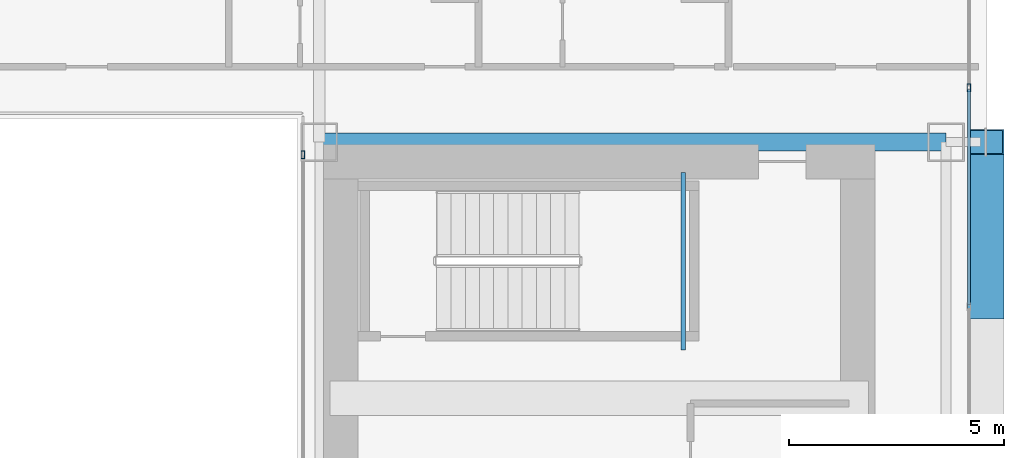
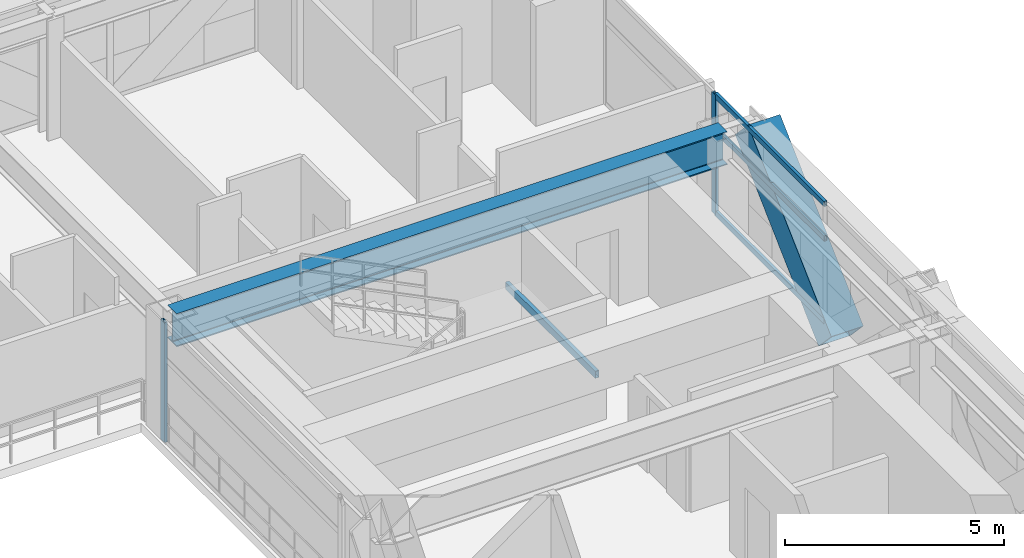
# One storey, part 23 of 41: 6 members, 2 beams, 2 elements without a shape of their own.
"""IFC4 building model written with IfcOpenShell, lengths in metres."""

from ifc_helpers import new_model, si_unit, direction, frame, origin, origin_2d, place, context, subcontext, project, spatial, hollow_rectangle, i_section, extrude, source, transform, mapped, material, layer, layer_set, material_profile, profile_set, type_object, element, aggregate, save


model = new_model("IFC4")

# Units and contexts
model_context = context("Model", 3, precision=1e-05, world=origin(), true_north=direction((0.0, 1.0)))
body_context = subcontext(model_context, "Body", "Model", "MODEL_VIEW")
ifc_project = project(units=[si_unit("LENGTHUNIT", "METRE"), si_unit("AREAUNIT", "SQUARE_METRE"), si_unit("VOLUMEUNIT", "CUBIC_METRE"), si_unit("PLANEANGLEUNIT", "RADIAN"), si_unit("MASSUNIT", "GRAM", prefix="KILO")], contexts=[model_context])

# Site, building, storey
site_placement = place(None, origin())
site = spatial("IfcSite", under=ifc_project, at=site_placement, CompositionType="ELEMENT")
building_placement = place(site_placement, origin())
building = spatial("IfcBuilding", under=site, at=building_placement, Name="Ocotamira Hotel", CompositionType="ELEMENT")
storey_placement = place(building_placement, frame((0.0, 0.0, 52.800048828125)))
storey = spatial("IfcBuildingStorey", under=building, at=storey_placement, Name="L12", CompositionType="ELEMENT", Elevation=52.800048828125)

# Beams
ifc_material_1 = material(Name="Steel ASTM A500 Grade C", Category="steel")
ifc_material_profile_1 = material_profile(ifc_material_1, hollow_rectangle(XDim=0.10009765625, YDim=0.199951171875, WallThickness=0.008056640625, at=origin_2d()), Name="HSS200X100X8")
ifc_profile_set_1 = profile_set([ifc_material_profile_1], Name="Steel ASTM A500 Grade C")
beam_type_1 = type_object("IfcBeamType", Name="BM-STLDG-HSS200", PredefinedType="BEAM", material=ifc_profile_set_1)
shared_shape_1 = source(origin(), body_context, "Body", "SweptSolid", [
    extrude(hollow_rectangle(XDim=0.10009765625, YDim=0.199951171875, WallThickness=0.008056640625, at=origin_2d()), origin(), (0.0, 0.0, 1.0), 4.1201171875),
])
beam_1_placement = place(storey_placement, frame((48.949951171875, 32.6298828125, 1.5), z_axis=(0.0, 1.0, 0.0), x_axis=(-1.0, 0.0, 0.0)))
element("IfcBeam", 1, at=beam_1_placement, inside=storey, type_object=beam_type_1, Name="L12 Stair ST-4 Landing Bearer 1", PredefinedType="BEAM", context=body_context, shape_type="MappedRepresentation", body=[
    mapped(shared_shape_1, transform((0.0, 0.0, 0.0), scale=1.0)),
])
ifc_material_2 = material(Name="Steel ASTM A992 Grade 50", Category="steel")
ifc_material_profile_2 = material_profile(ifc_material_2, i_section(OverallWidth=0.41796875, OverallDepth=0.927001953125, WebThickness=0.019287109375, FlangeThickness=0.031982421875, FilletRadius=0.02392578125, at=origin_2d()), Name="W36X231")
ifc_profile_set_2 = profile_set([ifc_material_profile_2], Name="Steel ASTM A992 Grade 50")
beam_type_2 = type_object("IfcBeamType", Name="BM-GIRD-W36X231", PredefinedType="BEAM", material=ifc_profile_set_2)
shared_shape_2 = source(origin(), body_context, "Body", "SweptSolid", [
    extrude(i_section(OverallWidth=0.41796875, OverallDepth=0.927001953125, WebThickness=0.019287109375, FlangeThickness=0.031982421875, FilletRadius=0.02392578125, at=origin_2d()), origin(), (0.0, 0.0, 1.0), 14.550048828125),
])
beam_2_placement = place(storey_placement, frame((40.5, 37.449951171875, 2.886474609375), z_axis=(1.0, 0.0, 0.0), x_axis=(0.0, 1.0, 0.0)))
element("IfcBeam", 2, at=beam_2_placement, inside=storey, type_object=beam_type_2, Name="L12 Girder Y37.45 X40.5-55.05", PredefinedType="BEAM", context=body_context, shape_type="MappedRepresentation", body=[
    mapped(shared_shape_2, transform((0.0, 0.0, 0.0), scale=1.0)),
])

# Member
ifc_material_3 = material(Name="Pale-metal coated steel ASTM A913 Grade 65", Category="steel")
ifc_material_profile_3 = material_profile(ifc_material_3, hollow_rectangle(XDim=0.85009765625, YDim=0.85009765625, WallThickness=0.035888671875, at=origin_2d()), Name="BOX850X850X36")
ifc_profile_set_3 = profile_set([ifc_material_profile_3], Name="Pale-metal coated steel ASTM A913 Grade 65")
member_type_1 = type_object("IfcMemberType", Name="MEM-EXO-BOX850", PredefinedType="BRACE", material=ifc_profile_set_3)
shared_shape_3 = source(origin(), body_context, "Body", "SweptSolid", [
    extrude(hollow_rectangle(XDim=0.85009765625, YDim=0.85009765625, WallThickness=0.035888671875, at=origin_2d()), origin(), (0.0, 0.0, 1.0), 5.24658203125),
])
member_1_placement = place(storey_placement, frame((55.969970703125, 33.63330078125, -0.5), z_axis=(0.0, 0.72746596067, 0.686143772154), x_axis=(-1.0, 0.0, 0.0)))
element("IfcMember", 3, at=member_1_placement, inside=storey, type_object=member_type_1, Name="L12 Exoskeleton Diagrid E2.2", PredefinedType="BRACE", context=body_context, shape_type="MappedRepresentation", body=[
    mapped(shared_shape_3, transform((0.0, 0.0, 0.0), scale=1.0)),
])

# Curtain wall, member
ifc_material_4 = material(Name="Anodised pale-metal aluminium and solar glass", Category="aluminium")
ifc_layer_1 = layer(ifc_material_4, 0.179931640625)
ifc_layer_set_1 = layer_set([ifc_layer_1], Name="Anodised pale-metal aluminium and solar glass")
curtain_wall_type_1 = type_object("IfcCurtainWallType", Name="CW-SYS2-Z1", PredefinedType="NOTDEFINED", material=ifc_layer_set_1)
curtain_wall_1_placement = place(storey_placement, origin())
curtain_wall_1 = element("IfcCurtainWall", 4, at=curtain_wall_1_placement, inside=storey, type_object=curtain_wall_type_1, Name="L12 Curtain Wall CW-2 CW-L12-E", PredefinedType="NOTDEFINED")
ifc_material_5 = material(Name="Anodised pale-metal aluminium 6063-T6", Category="aluminium")
ifc_material_profile_4 = material_profile(ifc_material_5, hollow_rectangle(XDim=0.080078125, YDim=0.179931640625, WallThickness=0.006103515625, at=origin_2d()), Name="HSS180X80X6")
ifc_profile_set_4 = profile_set([ifc_material_profile_4], Name="Anodised pale-metal aluminium 6063-T6")
member_type_2 = type_object("IfcMemberType", Name="CWM-180X75", PredefinedType="MULLION", material=ifc_profile_set_4)
shared_shape_4 = source(origin(), body_context, "Body", "SweptSolid", [
    extrude(hollow_rectangle(XDim=0.080078125, YDim=0.179931640625, WallThickness=0.006103515625, at=origin_2d()), origin(), (0.0, 0.0, 1.0), 3.349853515625),
])
member_2_placement = place(storey_placement, frame((55.580078125, 38.71435546875, 0.0), z_axis=(0.0, 0.0, 1.0), x_axis=(-1.0, 0.0, 0.0)))
member_2 = element("IfcMember", 5, at=member_2_placement, type_object=member_type_2, Name="CW-2 mullion 7", PredefinedType="MULLION", context=body_context, shape_type="MappedRepresentation", body=[
    mapped(shared_shape_4, transform((0.0, 0.0, 0.0), scale=1.0)),
])

ifc_layer_2 = layer(ifc_material_4, 0.159912109375)
ifc_layer_set_2 = layer_set([ifc_layer_2], Name="Anodised pale-metal aluminium and solar glass")
curtain_wall_type_2 = type_object("IfcCurtainWallType", Name="CW-SYS6-ATR", PredefinedType="NOTDEFINED", material=ifc_layer_set_2)
curtain_wall_2_placement = place(storey_placement, origin())
curtain_wall_2 = element("IfcCurtainWall", 6, at=curtain_wall_2_placement, inside=storey, type_object=curtain_wall_type_2, Name="L12 Curtain Wall CW-6 CW-L12-ATRE2", PredefinedType="NOTDEFINED")
member_3_placement = place(storey_placement, frame((40.1201171875, 37.159912109375, 0.0), z_axis=(0.0, 0.0, 1.0), x_axis=(-1.0, 0.0, 0.0)))
member_3 = element("IfcMember", 7, at=member_3_placement, type_object=member_type_2, Name="CW-6 mullion 2", PredefinedType="MULLION", context=body_context, shape_type="MappedRepresentation", body=[
    mapped(shared_shape_4, transform((0.0, 0.0, 0.0), scale=1.0)),
])
aggregate(curtain_wall_2, [member_3])

# Member
ifc_material_profile_5 = material_profile(ifc_material_5, hollow_rectangle(XDim=0.074951171875, YDim=0.14990234375, WallThickness=0.006103515625, at=origin_2d()), Name="HSS150X75X6")
ifc_profile_set_5 = profile_set([ifc_material_profile_5], Name="Anodised pale-metal aluminium 6063-T6")
member_type_3 = type_object("IfcMemberType", Name="CWT-150X75", PredefinedType="USERDEFINED", material=ifc_profile_set_5)
shared_shape_5 = source(origin(), body_context, "Body", "SweptSolid", [
    extrude(hollow_rectangle(XDim=0.074951171875, YDim=0.14990234375, WallThickness=0.006103515625, at=origin_2d()), origin(), (0.0, 0.0, 1.0), 5.005859375),
])
member_4_placement = place(storey_placement, frame((55.580078125, 33.66845703125, 0.037353515625), z_axis=(0.0, 1.0, 0.0), x_axis=(-1.0, 0.0, 0.0)))
member_4 = element("IfcMember", 8, at=member_4_placement, type_object=member_type_3, Name="CW-2 transom 6.1", ObjectType="TRANSOM", PredefinedType="USERDEFINED", context=body_context, shape_type="MappedRepresentation", body=[
    mapped(shared_shape_5, transform((0.0, 0.0, 0.0), scale=1.0)),
])

member_5_placement = place(storey_placement, frame((55.580078125, 33.66845703125, 2.349853515625), z_axis=(0.0, 1.0, 0.0), x_axis=(-1.0, 0.0, 0.0)))
member_5 = element("IfcMember", 9, at=member_5_placement, type_object=member_type_3, Name="CW-2 transom 6.2", ObjectType="TRANSOM", PredefinedType="USERDEFINED", context=body_context, shape_type="MappedRepresentation", body=[
    mapped(shared_shape_5, transform((0.0, 0.0, 0.0), scale=1.0)),
])

member_6_placement = place(storey_placement, frame((55.580078125, 33.66845703125, 3.3125), z_axis=(0.0, 1.0, 0.0), x_axis=(-1.0, 0.0, 0.0)))
member_6 = element("IfcMember", 10, at=member_6_placement, type_object=member_type_3, Name="CW-2 transom 6.3", ObjectType="TRANSOM", PredefinedType="USERDEFINED", context=body_context, shape_type="MappedRepresentation", body=[
    mapped(shared_shape_5, transform((0.0, 0.0, 0.0), scale=1.0)),
])

aggregate(curtain_wall_1, [member_2, member_4, member_5, member_6])

save(model, "model.ifc")
